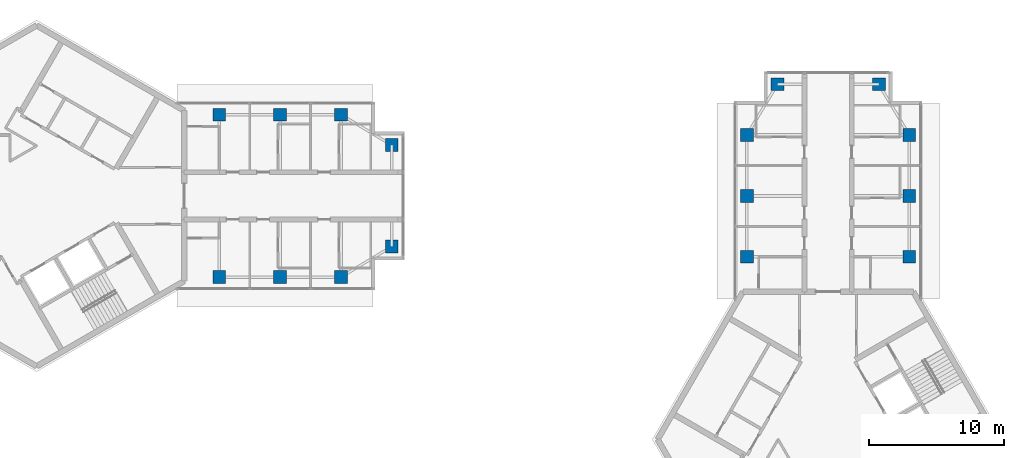
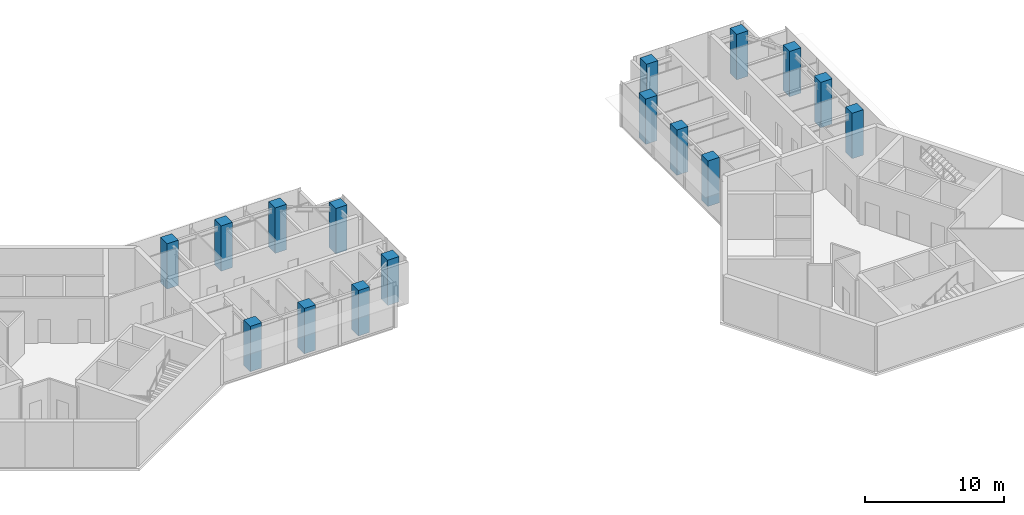
# One storey, part 1 of 11: 16 columns.
"""IFC4 building model written with IfcOpenShell, lengths in metres."""

from ifc_helpers import new_model, si_unit, direction, frame, origin, origin_2d, place, context, subcontext, project, spatial, rectangle, extrude, material, material_profile, profile_set, type_object, element, save


model = new_model("IFC4")

# Units and contexts
model_context = context("Model", 3, precision=1e-05, world=origin(), true_north=direction((0.0, 1.0)))
body_context = subcontext(model_context, "Body", "Model", "MODEL_VIEW")
ifc_project = project(units=[si_unit("LENGTHUNIT", "METRE"), si_unit("AREAUNIT", "SQUARE_METRE"), si_unit("VOLUMEUNIT", "CUBIC_METRE"), si_unit("PLANEANGLEUNIT", "RADIAN"), si_unit("MASSUNIT", "GRAM", prefix="KILO")], contexts=[model_context])

# Site, building, storey
site_placement = place(None, origin())
site = spatial("IfcSite", under=ifc_project, at=site_placement, CompositionType="ELEMENT")
building_placement = place(site_placement, origin())
building = spatial("IfcBuilding", under=site, at=building_placement, Name="Upepo Twin Towers", CompositionType="ELEMENT")
storey_placement = place(building_placement, frame((0.0, 0.0, 287.5)))
storey = spatial("IfcBuildingStorey", under=building, at=storey_placement, Name="L70", CompositionType="ELEMENT", Elevation=287.5)

# Columns
ifc_material = material(Name="Concrete C60/75", Category="concrete")
ifc_material_profile = material_profile(ifc_material, rectangle(XDim=0.949951171875, YDim=0.949951171875, at=origin_2d()), Name="RC 950x950")
ifc_profile_set = profile_set([ifc_material_profile], Name="Concrete C60/75")
column_type = type_object("IfcColumnType", Name="Tower column RC 950x950", PredefinedType="COLUMN", material=ifc_profile_set)
for number, where, z_axis, x_axis, name in (
    (1, (13.5, 6.0, 0.0), (0.0, 0.0, 1.0), (1.0, 0.0, 0.0), "T1 column AL135"),
    (2, (13.5, -6.0, 0.0), (0.0, 0.0, 1.0), (1.0, 0.0, 0.0), "T1 column AR135"),
    (3, (18.0, 6.0, 0.0), (0.0, 0.0, 1.0), (1.0, 0.0, 0.0), "T1 column AL180"),
    (4, (18.0, -6.0, 0.0), (0.0, 0.0, 1.0), (1.0, 0.0, 0.0), "T1 column AR180"),
    (5, (22.5, 6.0, 0.0), (0.0, 0.0, 1.0), (1.0, 0.0, 0.0), "T1 column AL225"),
    (6, (22.5, -6.0, 0.0), (0.0, 0.0, 1.0), (1.0, 0.0, 0.0), "T1 column AR225"),
    (7, (26.25, 3.75, 0.0), (0.0, 0.0, 1.0), (1.0, 0.0, 0.0), "T1 column ALN"),
    (8, (26.25, -3.75, 0.0), (0.0, 0.0, 1.0), (1.0, 0.0, 0.0), "T1 column ARN"),
    (9, (52.5, -4.5, 0.0), (0.0, 0.0, 1.0), (1.0, 0.0, 0.0), "T2 column AL135"),
    (10, (64.5, -4.5, 0.0), (0.0, 0.0, 1.0), (1.0, 0.0, 0.0), "T2 column AR135"),
    (11, (52.5, 0.0, 0.0), (0.0, 0.0, 1.0), (1.0, 0.0, 0.0), "T2 column AL180"),
    (12, (64.5, 0.0, 0.0), (0.0, 0.0, 1.0), (1.0, 0.0, 0.0), "T2 column AR180"),
    (13, (52.5, 4.5, 0.0), (0.0, 0.0, 1.0), (1.0, 0.0, 0.0), "T2 column AL225"),
    (14, (64.5, 4.5, 0.0), (0.0, 0.0, 1.0), (1.0, 0.0, 0.0), "T2 column AR225"),
    (15, (54.75, 8.25, 0.0), (0.0, 0.0, 1.0), (1.0, 0.0, 0.0), "T2 column ALN"),
    (16, (62.25, 8.25, 0.0), (0.0, 0.0, 1.0), (1.0, 0.0, 0.0), "T2 column ARN"),
):
    element("IfcColumn", number, at=place(storey_placement, frame(where, z_axis=z_axis, x_axis=x_axis)), inside=storey, type_object=column_type, Name=name, PredefinedType="COLUMN", context=body_context, shape_type="SweptSolid", body=[
        extrude(rectangle(XDim=0.949951171875, YDim=0.949951171875, at=origin_2d()), origin(), (0.0, 0.0, 1.0), 4.0),
    ])

save(model, "model.ifc")
